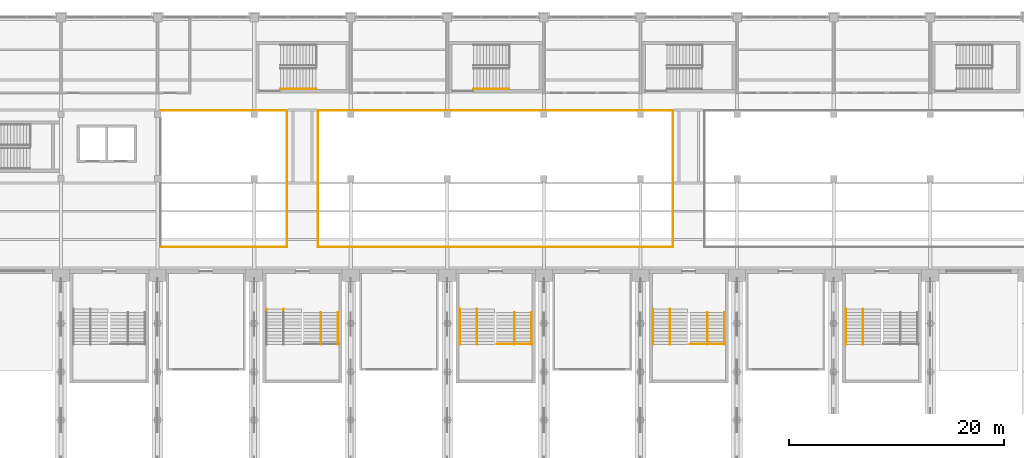
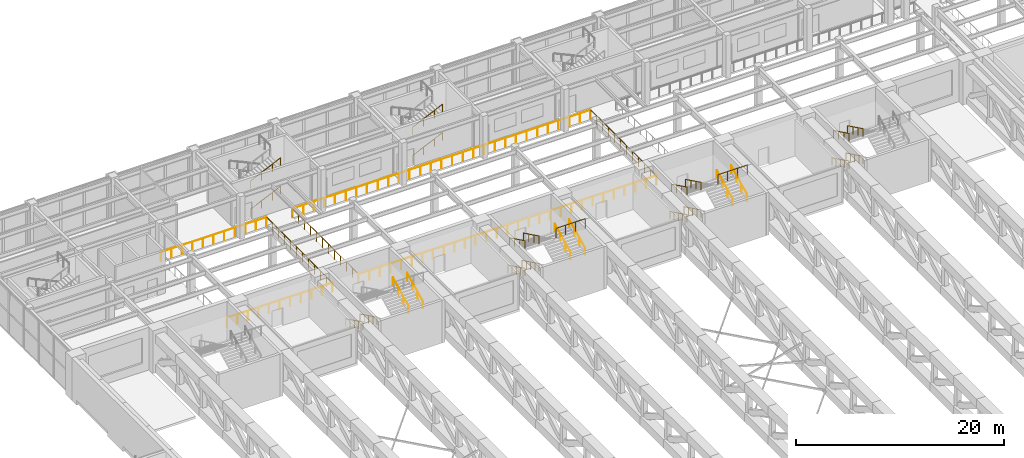
# One storey, part 69 of 76: 33 railings.
"""IFC4 building model written with IfcOpenShell, lengths in metres."""

from ifc_helpers import new_model, si_unit, direction, frame, origin, origin_2d, place, context, subcontext, project, spatial, circle, extrude, material, type_object, element, save


model = new_model("IFC4")

# Units and contexts
model_context = context("Model", 3, precision=1e-05, world=origin(), true_north=direction((0.0, 1.0)))
body_context = subcontext(model_context, "Body", "Model", "MODEL_VIEW")
ifc_project = project(units=[si_unit("LENGTHUNIT", "METRE"), si_unit("AREAUNIT", "SQUARE_METRE"), si_unit("VOLUMEUNIT", "CUBIC_METRE"), si_unit("PLANEANGLEUNIT", "RADIAN"), si_unit("MASSUNIT", "GRAM", prefix="KILO")], contexts=[model_context])

# Site, building, storey
site_placement = place(None, origin())
site = spatial("IfcSite", under=ifc_project, at=site_placement, CompositionType="ELEMENT")
building_placement = place(site_placement, origin())
building = spatial("IfcBuilding", under=site, at=building_placement, Name="Aravalli Gate Trade Fair Centre", CompositionType="ELEMENT")
storey_placement = place(building_placement, frame((0.0, 0.0, 10.0)))
storey = spatial("IfcBuildingStorey", under=building, at=storey_placement, Name="L02", CompositionType="ELEMENT", Elevation=10.0)

# Railings
ifc_material = material(Name="Steel E350", Category="steel")
railing_type_1 = type_object("IfcRailingType", Name="Concourse guard 1100", PredefinedType="GUARDRAIL", material=ifc_material)
railing_1_placement = place(storey_placement, frame((24.300048828125, 111.64990234375, 0.0)))
element("IfcRailing", 1, at=railing_1_placement, inside=storey, type_object=railing_type_1, Name="Atrium guard S1 L02", PredefinedType="GUARDRAIL", context=body_context, shape_type="SweptSolid", body=[
    extrude(circle(Radius=0.02392578125, at=origin_2d()), frame((0.0, 0.0, 1.076171875), z_axis=(1.0, 0.0, 0.0), x_axis=(0.0, 1.0, 0.0)), (0.0, 0.0, 1.0), 11.75),
    extrude(circle(Radius=0.02099609375, at=origin_2d()), origin(), (0.0, 0.0, 1.0), 1.052001953125),
    extrude(circle(Radius=0.02099609375, at=origin_2d()), frame((1.175048828125, 0.0, 0.0)), (0.0, 0.0, 1.0), 1.052001953125),
    extrude(circle(Radius=0.02099609375, at=origin_2d()), frame((2.35009765625, 0.0, 0.0)), (0.0, 0.0, 1.0), 1.052001953125),
    extrude(circle(Radius=0.02099609375, at=origin_2d()), frame((3.52490234375, 0.0, 0.0)), (0.0, 0.0, 1.0), 1.052001953125),
    extrude(circle(Radius=0.02099609375, at=origin_2d()), frame((4.699951171875, 0.0, 0.0)), (0.0, 0.0, 1.0), 1.052001953125),
    extrude(circle(Radius=0.02099609375, at=origin_2d()), frame((5.875, 0.0, 0.0)), (0.0, 0.0, 1.0), 1.052001953125),
    extrude(circle(Radius=0.02099609375, at=origin_2d()), frame((7.050048828125, 0.0, 0.0)), (0.0, 0.0, 1.0), 1.052001953125),
    extrude(circle(Radius=0.02099609375, at=origin_2d()), frame((8.22509765625, 0.0, 0.0)), (0.0, 0.0, 1.0), 1.052001953125),
    extrude(circle(Radius=0.02099609375, at=origin_2d()), frame((9.39990234375, 0.0, 0.0)), (0.0, 0.0, 1.0), 1.052001953125),
    extrude(circle(Radius=0.02099609375, at=origin_2d()), frame((10.574951171875, 0.0, 0.0)), (0.0, 0.0, 1.0), 1.052001953125),
    extrude(circle(Radius=0.02099609375, at=origin_2d()), frame((11.75, 0.0, 0.0)), (0.0, 0.0, 1.0), 1.052001953125),
])
railing_2_placement = place(storey_placement, frame((38.949951171875, 111.64990234375, 0.0)))
element("IfcRailing", 2, at=railing_2_placement, inside=storey, type_object=railing_type_1, Name="Atrium guard S2 L02", PredefinedType="GUARDRAIL", context=body_context, shape_type="SweptSolid", body=[
    extrude(circle(Radius=0.02392578125, at=origin_2d()), frame((0.0, 0.0, 1.076171875), z_axis=(1.0, 0.0, 0.0), x_axis=(0.0, 1.0, 0.0)), (0.0, 0.0, 1.0), 33.10009765625),
    extrude(circle(Radius=0.02099609375, at=origin_2d()), origin(), (0.0, 0.0, 1.0), 1.052001953125),
    extrude(circle(Radius=0.02099609375, at=origin_2d()), frame((1.18212890625, 0.0, 0.0)), (0.0, 0.0, 1.0), 1.052001953125),
    extrude(circle(Radius=0.02099609375, at=origin_2d()), frame((2.3642578125, 0.0, 0.0)), (0.0, 0.0, 1.0), 1.052001953125),
    extrude(circle(Radius=0.02099609375, at=origin_2d()), frame((3.54638671875, 0.0, 0.0)), (0.0, 0.0, 1.0), 1.052001953125),
    extrude(circle(Radius=0.02099609375, at=origin_2d()), frame((4.728515625, 0.0, 0.0)), (0.0, 0.0, 1.0), 1.052001953125),
    extrude(circle(Radius=0.02099609375, at=origin_2d()), frame((5.91064453125, 0.0, 0.0)), (0.0, 0.0, 1.0), 1.052001953125),
    extrude(circle(Radius=0.02099609375, at=origin_2d()), frame((7.0927734375, 0.0, 0.0)), (0.0, 0.0, 1.0), 1.052001953125),
    extrude(circle(Radius=0.02099609375, at=origin_2d()), frame((8.27490234375, 0.0, 0.0)), (0.0, 0.0, 1.0), 1.052001953125),
    extrude(circle(Radius=0.02099609375, at=origin_2d()), frame((9.457275390625, 0.0, 0.0)), (0.0, 0.0, 1.0), 1.052001953125),
    extrude(circle(Radius=0.02099609375, at=origin_2d()), frame((10.639404296875, 0.0, 0.0)), (0.0, 0.0, 1.0), 1.052001953125),
    extrude(circle(Radius=0.02099609375, at=origin_2d()), frame((11.821533203125, 0.0, 0.0)), (0.0, 0.0, 1.0), 1.052001953125),
    extrude(circle(Radius=0.02099609375, at=origin_2d()), frame((13.003662109375, 0.0, 0.0)), (0.0, 0.0, 1.0), 1.052001953125),
    extrude(circle(Radius=0.02099609375, at=origin_2d()), frame((14.185791015625, 0.0, 0.0)), (0.0, 0.0, 1.0), 1.052001953125),
    extrude(circle(Radius=0.02099609375, at=origin_2d()), frame((15.367919921875, 0.0, 0.0)), (0.0, 0.0, 1.0), 1.052001953125),
    extrude(circle(Radius=0.02099609375, at=origin_2d()), frame((16.550048828125, 0.0, 0.0)), (0.0, 0.0, 1.0), 1.052001953125),
    extrude(circle(Radius=0.02099609375, at=origin_2d()), frame((17.732177734375, 0.0, 0.0)), (0.0, 0.0, 1.0), 1.052001953125),
    extrude(circle(Radius=0.02099609375, at=origin_2d()), frame((18.914306640625, 0.0, 0.0)), (0.0, 0.0, 1.0), 1.052001953125),
    extrude(circle(Radius=0.02099609375, at=origin_2d()), frame((20.096435546875, 0.0, 0.0)), (0.0, 0.0, 1.0), 1.052001953125),
    extrude(circle(Radius=0.02099609375, at=origin_2d()), frame((21.278564453125, 0.0, 0.0)), (0.0, 0.0, 1.0), 1.052001953125),
    extrude(circle(Radius=0.02099609375, at=origin_2d()), frame((22.460693359375, 0.0, 0.0)), (0.0, 0.0, 1.0), 1.052001953125),
    extrude(circle(Radius=0.02099609375, at=origin_2d()), frame((23.642822265625, 0.0, 0.0)), (0.0, 0.0, 1.0), 1.052001953125),
    extrude(circle(Radius=0.02099609375, at=origin_2d()), frame((24.8251953125, 0.0, 0.0)), (0.0, 0.0, 1.0), 1.052001953125),
    extrude(circle(Radius=0.02099609375, at=origin_2d()), frame((26.00732421875, 0.0, 0.0)), (0.0, 0.0, 1.0), 1.052001953125),
    extrude(circle(Radius=0.02099609375, at=origin_2d()), frame((27.189453125, 0.0, 0.0)), (0.0, 0.0, 1.0), 1.052001953125),
    extrude(circle(Radius=0.02099609375, at=origin_2d()), frame((28.37158203125, 0.0, 0.0)), (0.0, 0.0, 1.0), 1.052001953125),
    extrude(circle(Radius=0.02099609375, at=origin_2d()), frame((29.5537109375, 0.0, 0.0)), (0.0, 0.0, 1.0), 1.052001953125),
    extrude(circle(Radius=0.02099609375, at=origin_2d()), frame((30.73583984375, 0.0, 0.0)), (0.0, 0.0, 1.0), 1.052001953125),
    extrude(circle(Radius=0.02099609375, at=origin_2d()), frame((31.91796875, 0.0, 0.0)), (0.0, 0.0, 1.0), 1.052001953125),
    extrude(circle(Radius=0.02099609375, at=origin_2d()), frame((33.10009765625, 0.0, 0.0)), (0.0, 0.0, 1.0), 1.052001953125),
])
railing_3_placement = place(storey_placement, frame((24.300048828125, 124.35009765625, 0.0)))
element("IfcRailing", 3, at=railing_3_placement, inside=storey, type_object=railing_type_1, Name="Atrium guard N1 L02", PredefinedType="GUARDRAIL", context=body_context, shape_type="SweptSolid", body=[
    extrude(circle(Radius=0.02392578125, at=origin_2d()), frame((0.0, 0.0, 1.076171875), z_axis=(1.0, 0.0, 0.0), x_axis=(0.0, 1.0, 0.0)), (0.0, 0.0, 1.0), 11.75),
    extrude(circle(Radius=0.02099609375, at=origin_2d()), origin(), (0.0, 0.0, 1.0), 1.052001953125),
    extrude(circle(Radius=0.02099609375, at=origin_2d()), frame((1.175048828125, 0.0, 0.0)), (0.0, 0.0, 1.0), 1.052001953125),
    extrude(circle(Radius=0.02099609375, at=origin_2d()), frame((2.35009765625, 0.0, 0.0)), (0.0, 0.0, 1.0), 1.052001953125),
    extrude(circle(Radius=0.02099609375, at=origin_2d()), frame((3.52490234375, 0.0, 0.0)), (0.0, 0.0, 1.0), 1.052001953125),
    extrude(circle(Radius=0.02099609375, at=origin_2d()), frame((4.699951171875, 0.0, 0.0)), (0.0, 0.0, 1.0), 1.052001953125),
    extrude(circle(Radius=0.02099609375, at=origin_2d()), frame((5.875, 0.0, 0.0)), (0.0, 0.0, 1.0), 1.052001953125),
    extrude(circle(Radius=0.02099609375, at=origin_2d()), frame((7.050048828125, 0.0, 0.0)), (0.0, 0.0, 1.0), 1.052001953125),
    extrude(circle(Radius=0.02099609375, at=origin_2d()), frame((8.22509765625, 0.0, 0.0)), (0.0, 0.0, 1.0), 1.052001953125),
    extrude(circle(Radius=0.02099609375, at=origin_2d()), frame((9.39990234375, 0.0, 0.0)), (0.0, 0.0, 1.0), 1.052001953125),
    extrude(circle(Radius=0.02099609375, at=origin_2d()), frame((10.574951171875, 0.0, 0.0)), (0.0, 0.0, 1.0), 1.052001953125),
    extrude(circle(Radius=0.02099609375, at=origin_2d()), frame((11.75, 0.0, 0.0)), (0.0, 0.0, 1.0), 1.052001953125),
])
railing_4_placement = place(storey_placement, frame((38.949951171875, 124.35009765625, 0.0)))
element("IfcRailing", 4, at=railing_4_placement, inside=storey, type_object=railing_type_1, Name="Atrium guard N2 L02", PredefinedType="GUARDRAIL", context=body_context, shape_type="SweptSolid", body=[
    extrude(circle(Radius=0.02392578125, at=origin_2d()), frame((0.0, 0.0, 1.076171875), z_axis=(1.0, 0.0, 0.0), x_axis=(0.0, 1.0, 0.0)), (0.0, 0.0, 1.0), 33.10009765625),
    extrude(circle(Radius=0.02099609375, at=origin_2d()), origin(), (0.0, 0.0, 1.0), 1.052001953125),
    extrude(circle(Radius=0.02099609375, at=origin_2d()), frame((1.18212890625, 0.0, 0.0)), (0.0, 0.0, 1.0), 1.052001953125),
    extrude(circle(Radius=0.02099609375, at=origin_2d()), frame((2.3642578125, 0.0, 0.0)), (0.0, 0.0, 1.0), 1.052001953125),
    extrude(circle(Radius=0.02099609375, at=origin_2d()), frame((3.54638671875, 0.0, 0.0)), (0.0, 0.0, 1.0), 1.052001953125),
    extrude(circle(Radius=0.02099609375, at=origin_2d()), frame((4.728515625, 0.0, 0.0)), (0.0, 0.0, 1.0), 1.052001953125),
    extrude(circle(Radius=0.02099609375, at=origin_2d()), frame((5.91064453125, 0.0, 0.0)), (0.0, 0.0, 1.0), 1.052001953125),
    extrude(circle(Radius=0.02099609375, at=origin_2d()), frame((7.0927734375, 0.0, 0.0)), (0.0, 0.0, 1.0), 1.052001953125),
    extrude(circle(Radius=0.02099609375, at=origin_2d()), frame((8.27490234375, 0.0, 0.0)), (0.0, 0.0, 1.0), 1.052001953125),
    extrude(circle(Radius=0.02099609375, at=origin_2d()), frame((9.457275390625, 0.0, 0.0)), (0.0, 0.0, 1.0), 1.052001953125),
    extrude(circle(Radius=0.02099609375, at=origin_2d()), frame((10.639404296875, 0.0, 0.0)), (0.0, 0.0, 1.0), 1.052001953125),
    extrude(circle(Radius=0.02099609375, at=origin_2d()), frame((11.821533203125, 0.0, 0.0)), (0.0, 0.0, 1.0), 1.052001953125),
    extrude(circle(Radius=0.02099609375, at=origin_2d()), frame((13.003662109375, 0.0, 0.0)), (0.0, 0.0, 1.0), 1.052001953125),
    extrude(circle(Radius=0.02099609375, at=origin_2d()), frame((14.185791015625, 0.0, 0.0)), (0.0, 0.0, 1.0), 1.052001953125),
    extrude(circle(Radius=0.02099609375, at=origin_2d()), frame((15.367919921875, 0.0, 0.0)), (0.0, 0.0, 1.0), 1.052001953125),
    extrude(circle(Radius=0.02099609375, at=origin_2d()), frame((16.550048828125, 0.0, 0.0)), (0.0, 0.0, 1.0), 1.052001953125),
    extrude(circle(Radius=0.02099609375, at=origin_2d()), frame((17.732177734375, 0.0, 0.0)), (0.0, 0.0, 1.0), 1.052001953125),
    extrude(circle(Radius=0.02099609375, at=origin_2d()), frame((18.914306640625, 0.0, 0.0)), (0.0, 0.0, 1.0), 1.052001953125),
    extrude(circle(Radius=0.02099609375, at=origin_2d()), frame((20.096435546875, 0.0, 0.0)), (0.0, 0.0, 1.0), 1.052001953125),
    extrude(circle(Radius=0.02099609375, at=origin_2d()), frame((21.278564453125, 0.0, 0.0)), (0.0, 0.0, 1.0), 1.052001953125),
    extrude(circle(Radius=0.02099609375, at=origin_2d()), frame((22.460693359375, 0.0, 0.0)), (0.0, 0.0, 1.0), 1.052001953125),
    extrude(circle(Radius=0.02099609375, at=origin_2d()), frame((23.642822265625, 0.0, 0.0)), (0.0, 0.0, 1.0), 1.052001953125),
    extrude(circle(Radius=0.02099609375, at=origin_2d()), frame((24.8251953125, 0.0, 0.0)), (0.0, 0.0, 1.0), 1.052001953125),
    extrude(circle(Radius=0.02099609375, at=origin_2d()), frame((26.00732421875, 0.0, 0.0)), (0.0, 0.0, 1.0), 1.052001953125),
    extrude(circle(Radius=0.02099609375, at=origin_2d()), frame((27.189453125, 0.0, 0.0)), (0.0, 0.0, 1.0), 1.052001953125),
    extrude(circle(Radius=0.02099609375, at=origin_2d()), frame((28.37158203125, 0.0, 0.0)), (0.0, 0.0, 1.0), 1.052001953125),
    extrude(circle(Radius=0.02099609375, at=origin_2d()), frame((29.5537109375, 0.0, 0.0)), (0.0, 0.0, 1.0), 1.052001953125),
    extrude(circle(Radius=0.02099609375, at=origin_2d()), frame((30.73583984375, 0.0, 0.0)), (0.0, 0.0, 1.0), 1.052001953125),
    extrude(circle(Radius=0.02099609375, at=origin_2d()), frame((31.91796875, 0.0, 0.0)), (0.0, 0.0, 1.0), 1.052001953125),
    extrude(circle(Radius=0.02099609375, at=origin_2d()), frame((33.10009765625, 0.0, 0.0)), (0.0, 0.0, 1.0), 1.052001953125),
])
for number, where, name in (
    (5, (36.050048828125, 111.64990234375, 0.0), "Atrium guard BA1 L02"),
    (6, (38.949951171875, 111.64990234375, 0.0), "Atrium guard BB1 L02"),
    (7, (72.050048828125, 111.64990234375, 0.0), "Atrium guard BA2 L02"),
):
    element("IfcRailing", number, at=place(storey_placement, frame(where)), inside=storey, type_object=railing_type_1, Name=name, PredefinedType="GUARDRAIL", context=body_context, shape_type="SweptSolid", body=[
        extrude(circle(Radius=0.02392578125, at=origin_2d()), frame((0.0, 0.0, 1.076171875), z_axis=(0.0, 1.0, 0.0), x_axis=(-1.0, 0.0, 0.0)), (0.0, 0.0, 1.0), 12.7001953125),
        extrude(circle(Radius=0.02099609375, at=origin_2d()), origin(), (0.0, 0.0, 1.0), 1.052001953125),
        extrude(circle(Radius=0.02099609375, at=origin_2d()), frame((0.0, 1.154541015625, 0.0)), (0.0, 0.0, 1.0), 1.052001953125),
        extrude(circle(Radius=0.02099609375, at=origin_2d()), frame((0.0, 2.30908203125, 0.0)), (0.0, 0.0, 1.0), 1.052001953125),
        extrude(circle(Radius=0.02099609375, at=origin_2d()), frame((0.0, 3.463623046875, 0.0)), (0.0, 0.0, 1.0), 1.052001953125),
        extrude(circle(Radius=0.02099609375, at=origin_2d()), frame((0.0, 4.6181640625, 0.0)), (0.0, 0.0, 1.0), 1.052001953125),
        extrude(circle(Radius=0.02099609375, at=origin_2d()), frame((0.0, 5.772705078125, 0.0)), (0.0, 0.0, 1.0), 1.052001953125),
        extrude(circle(Radius=0.02099609375, at=origin_2d()), frame((0.0, 6.927490234375, 0.0)), (0.0, 0.0, 1.0), 1.052001953125),
        extrude(circle(Radius=0.02099609375, at=origin_2d()), frame((0.0, 8.08203125, 0.0)), (0.0, 0.0, 1.0), 1.052001953125),
        extrude(circle(Radius=0.02099609375, at=origin_2d()), frame((0.0, 9.236572265625, 0.0)), (0.0, 0.0, 1.0), 1.052001953125),
        extrude(circle(Radius=0.02099609375, at=origin_2d()), frame((0.0, 10.39111328125, 0.0)), (0.0, 0.0, 1.0), 1.052001953125),
        extrude(circle(Radius=0.02099609375, at=origin_2d()), frame((0.0, 11.545654296875, 0.0)), (0.0, 0.0, 1.0), 1.052001953125),
        extrude(circle(Radius=0.02099609375, at=origin_2d()), frame((0.0, 12.7001953125, 0.0)), (0.0, 0.0, 1.0), 1.052001953125),
    ])
railing_type_2 = type_object("IfcRailingType", Name="Concourse stair handrail 900", PredefinedType="HANDRAIL", material=ifc_material)
railing_5_placement = place(storey_placement, frame((35.449951171875, 126.35009765625, 0.138916015625)))
element("IfcRailing", 8, at=railing_5_placement, inside=storey, type_object=railing_type_2, Name="Handrail XA L02 flight 1o", PredefinedType="HANDRAIL", context=body_context, shape_type="SweptSolid", body=[
    extrude(circle(Radius=0.02392578125, at=origin_2d()), frame((0.0, 0.0, 0.8759765625), z_axis=(0.907499493834, 0.0, 0.420053173647), x_axis=(0.0, 1.0, 0.0)), (0.0, 0.0, 1.0), 1.322265625),
    extrude(circle(Radius=0.02392578125, at=origin_2d()), frame((1.199951171875, 0.0, 1.43115234375), z_axis=(0.907461694017, 0.0, 0.420134828231), x_axis=(0.0, 1.0, 0.0)), (0.0, 0.0, 1.0), 1.322509765625),
    extrude(circle(Radius=0.02392578125, at=origin_2d()), frame((2.400146484375, 0.0, 1.98681640625), z_axis=(0.907418235185, 0.0, 0.420228683522), x_axis=(0.0, 1.0, 0.0)), (0.0, 0.0, 1.0), 0.99169921875),
    extrude(circle(Radius=0.02099609375, at=origin_2d()), origin(), (0.0, 0.0, 1.0), 0.851806640625),
    extrude(circle(Radius=0.02099609375, at=origin_2d()), frame((1.199951171875, 0.0, 0.555419921875)), (0.0, 0.0, 1.0), 0.851806640625),
    extrude(circle(Radius=0.02099609375, at=origin_2d()), frame((2.400146484375, 0.0, 1.111083984375)), (0.0, 0.0, 1.0), 0.851806640625),
    extrude(circle(Radius=0.02099609375, at=origin_2d()), frame((3.300048828125, 0.0, 1.52783203125)), (0.0, 0.0, 1.0), 0.851806640625),
])
railing_6_placement = place(storey_placement, frame((35.449951171875, 126.35009765625, 3.47216796875)))
element("IfcRailing", 9, at=railing_6_placement, inside=storey, type_object=railing_type_2, Name="Handrail XA L02 flight 3o", PredefinedType="HANDRAIL", context=body_context, shape_type="SweptSolid", body=[
    extrude(circle(Radius=0.02392578125, at=origin_2d()), frame((0.0, 0.0, 0.8759765625), z_axis=(0.907429102623, 0.0, 0.420205216189), x_axis=(0.0, 1.0, 0.0)), (0.0, 0.0, 1.0), 1.322265625),
    extrude(circle(Radius=0.02392578125, at=origin_2d()), frame((1.199951171875, 0.0, 1.431640625), z_axis=(0.907532064172, 0.0, 0.419982800242), x_axis=(0.0, 1.0, 0.0)), (0.0, 0.0, 1.0), 1.322509765625),
    extrude(circle(Radius=0.02392578125, at=origin_2d()), frame((2.400146484375, 0.0, 1.98681640625), z_axis=(0.907418235185, 0.0, 0.420228683522), x_axis=(0.0, 1.0, 0.0)), (0.0, 0.0, 1.0), 0.99169921875),
    extrude(circle(Radius=0.02099609375, at=origin_2d()), origin(), (0.0, 0.0, 1.0), 0.851806640625),
    extrude(circle(Radius=0.02099609375, at=origin_2d()), frame((1.199951171875, 0.0, 0.5556640625)), (0.0, 0.0, 1.0), 0.851806640625),
    extrude(circle(Radius=0.02099609375, at=origin_2d()), frame((2.400146484375, 0.0, 1.111083984375)), (0.0, 0.0, 1.0), 0.851806640625),
    extrude(circle(Radius=0.02099609375, at=origin_2d()), frame((3.300048828125, 0.0, 1.52783203125)), (0.0, 0.0, 1.0), 0.851806640625),
])
railing_7_placement = place(storey_placement, frame((53.449951171875, 126.35009765625, 0.138916015625)))
element("IfcRailing", 10, at=railing_7_placement, inside=storey, type_object=railing_type_2, Name="Handrail XB L02 flight 1o", PredefinedType="HANDRAIL", context=body_context, shape_type="SweptSolid", body=[
    extrude(circle(Radius=0.02392578125, at=origin_2d()), frame((0.0, 0.0, 0.8759765625), z_axis=(0.907499493834, 0.0, 0.420053173647), x_axis=(0.0, 1.0, 0.0)), (0.0, 0.0, 1.0), 1.322265625),
    extrude(circle(Radius=0.02392578125, at=origin_2d()), frame((1.199951171875, 0.0, 1.43115234375), z_axis=(0.907461694017, 0.0, 0.420134828231), x_axis=(0.0, 1.0, 0.0)), (0.0, 0.0, 1.0), 1.322509765625),
    extrude(circle(Radius=0.02392578125, at=origin_2d()), frame((2.400146484375, 0.0, 1.98681640625), z_axis=(0.907418235185, 0.0, 0.420228683522), x_axis=(0.0, 1.0, 0.0)), (0.0, 0.0, 1.0), 0.99169921875),
    extrude(circle(Radius=0.02099609375, at=origin_2d()), origin(), (0.0, 0.0, 1.0), 0.851806640625),
    extrude(circle(Radius=0.02099609375, at=origin_2d()), frame((1.199951171875, 0.0, 0.555419921875)), (0.0, 0.0, 1.0), 0.851806640625),
    extrude(circle(Radius=0.02099609375, at=origin_2d()), frame((2.400146484375, 0.0, 1.111083984375)), (0.0, 0.0, 1.0), 0.851806640625),
    extrude(circle(Radius=0.02099609375, at=origin_2d()), frame((3.300048828125, 0.0, 1.52783203125)), (0.0, 0.0, 1.0), 0.851806640625),
])
railing_8_placement = place(storey_placement, frame((53.449951171875, 126.35009765625, 3.47216796875)))
element("IfcRailing", 11, at=railing_8_placement, inside=storey, type_object=railing_type_2, Name="Handrail XB L02 flight 3o", PredefinedType="HANDRAIL", context=body_context, shape_type="SweptSolid", body=[
    extrude(circle(Radius=0.02392578125, at=origin_2d()), frame((0.0, 0.0, 0.8759765625), z_axis=(0.907429102623, 0.0, 0.420205216189), x_axis=(0.0, 1.0, 0.0)), (0.0, 0.0, 1.0), 1.322265625),
    extrude(circle(Radius=0.02392578125, at=origin_2d()), frame((1.199951171875, 0.0, 1.431640625), z_axis=(0.907532064172, 0.0, 0.419982800242), x_axis=(0.0, 1.0, 0.0)), (0.0, 0.0, 1.0), 1.322509765625),
    extrude(circle(Radius=0.02392578125, at=origin_2d()), frame((2.400146484375, 0.0, 1.98681640625), z_axis=(0.907418235185, 0.0, 0.420228683522), x_axis=(0.0, 1.0, 0.0)), (0.0, 0.0, 1.0), 0.99169921875),
    extrude(circle(Radius=0.02099609375, at=origin_2d()), origin(), (0.0, 0.0, 1.0), 0.851806640625),
    extrude(circle(Radius=0.02099609375, at=origin_2d()), frame((1.199951171875, 0.0, 0.5556640625)), (0.0, 0.0, 1.0), 0.851806640625),
    extrude(circle(Radius=0.02099609375, at=origin_2d()), frame((2.400146484375, 0.0, 1.111083984375)), (0.0, 0.0, 1.0), 0.851806640625),
    extrude(circle(Radius=0.02099609375, at=origin_2d()), frame((3.300048828125, 0.0, 1.52783203125)), (0.0, 0.0, 1.0), 0.851806640625),
])
railing_type_3 = type_object("IfcRailingType", Name="Stair guard 1100", PredefinedType="GUARDRAIL", material=ifc_material)
for number, where, name in (
    (12, (55.6298828125, 102.60009765625, 5.0), "Guard N06 L02 head"),
    (13, (73.6298828125, 102.60009765625, 5.0), "Guard N08 L02 head"),
):
    element("IfcRailing", number, at=place(storey_placement, frame(where)), inside=storey, type_object=railing_type_3, Name=name, PredefinedType="GUARDRAIL", context=body_context, shape_type="SweptSolid", body=[
        extrude(circle(Radius=0.02392578125, at=origin_2d()), frame((0.0, 0.0, 1.076171875), z_axis=(1.0, 0.0, 0.0), x_axis=(0.0, 1.0, 0.0)), (0.0, 0.0, 1.0), 3.27001953125),
        extrude(circle(Radius=0.02099609375, at=origin_2d()), origin(), (0.0, 0.0, 1.0), 1.052001953125),
        extrude(circle(Radius=0.02099609375, at=origin_2d()), frame((1.090087890625, 0.0, 0.0)), (0.0, 0.0, 1.0), 1.052001953125),
        extrude(circle(Radius=0.02099609375, at=origin_2d()), frame((2.179931640625, 0.0, 0.0)), (0.0, 0.0, 1.0), 1.052001953125),
        extrude(circle(Radius=0.02099609375, at=origin_2d()), frame((3.27001953125, 0.0, 0.0)), (0.0, 0.0, 1.0), 1.052001953125),
    ])
railing_type_4 = type_object("IfcRailingType", Name="Stair handrail 900", PredefinedType="HANDRAIL", material=ifc_material)
for number, where, name in (
    (14, (34.169921875, 105.85009765625, 0.147216796875), "Handrail N04 L02 1"),
    (15, (35.75, 105.85009765625, 0.147216796875), "Handrail centre N04 L02 2"),
):
    element("IfcRailing", number, at=place(storey_placement, frame(where)), inside=storey, type_object=railing_type_4, Name=name, PredefinedType="HANDRAIL", context=body_context, shape_type="SweptSolid", body=[
        extrude(circle(Radius=0.02392578125, at=origin_2d()), frame((0.0, 0.0, 0.8759765625), z_axis=(0.0, -0.897946461621, 0.440104705795), x_axis=(1.0, 0.0, 0.0)), (0.0, 0.0, 1.0), 3.675048828125),
        extrude(circle(Radius=0.02099609375, at=origin_2d()), origin(), (0.0, 0.0, 1.0), 0.851806640625),
        extrude(circle(Radius=0.02099609375, at=origin_2d()), frame((0.0, -0.824951171875, 0.404296875)), (0.0, 0.0, 1.0), 0.851806640625),
        extrude(circle(Radius=0.02099609375, at=origin_2d()), frame((0.0, -1.64990234375, 0.80859375)), (0.0, 0.0, 1.0), 0.851806640625),
        extrude(circle(Radius=0.02099609375, at=origin_2d()), frame((0.0, -2.47509765625, 1.213134765625)), (0.0, 0.0, 1.0), 0.851806640625),
        extrude(circle(Radius=0.02099609375, at=origin_2d()), frame((0.0, -3.300048828125, 1.617431640625)), (0.0, 0.0, 1.0), 0.851806640625),
    ])
for number, where, name in (
    (16, (40.830078125, 102.550048828125, 1.911865234375), "Handrail N04 L02 3"),
    (17, (39.25, 102.550048828125, 1.911865234375), "Handrail centre N04 L02 4"),
):
    element("IfcRailing", number, at=place(storey_placement, frame(where)), inside=storey, type_object=railing_type_4, Name=name, PredefinedType="HANDRAIL", context=body_context, shape_type="SweptSolid", body=[
        extrude(circle(Radius=0.02392578125, at=origin_2d()), frame((0.0, 0.0, 0.8759765625), z_axis=(0.0, 0.897936012048, 0.440126025437), x_axis=(-1.0, 0.0, 0.0)), (0.0, 0.0, 1.0), 3.341064453125),
        extrude(circle(Radius=0.02099609375, at=origin_2d()), origin(), (0.0, 0.0, 1.0), 0.851806640625),
        extrude(circle(Radius=0.02099609375, at=origin_2d()), frame((0.0, 1.0, 0.490234375)), (0.0, 0.0, 1.0), 0.851806640625),
        extrude(circle(Radius=0.02099609375, at=origin_2d()), frame((0.0, 2.0, 0.980224609375)), (0.0, 0.0, 1.0), 0.851806640625),
        extrude(circle(Radius=0.02099609375, at=origin_2d()), frame((0.0, 3.0, 1.470458984375)), (0.0, 0.0, 1.0), 0.851806640625),
    ])
for number, where, name in (
    (18, (52.169921875, 105.85009765625, 0.147216796875), "Handrail N06 L02 1"),
    (19, (53.75, 105.85009765625, 0.147216796875), "Handrail centre N06 L02 2"),
):
    element("IfcRailing", number, at=place(storey_placement, frame(where)), inside=storey, type_object=railing_type_4, Name=name, PredefinedType="HANDRAIL", context=body_context, shape_type="SweptSolid", body=[
        extrude(circle(Radius=0.02392578125, at=origin_2d()), frame((0.0, 0.0, 0.8759765625), z_axis=(0.0, -0.897946461621, 0.440104705795), x_axis=(1.0, 0.0, 0.0)), (0.0, 0.0, 1.0), 3.675048828125),
        extrude(circle(Radius=0.02099609375, at=origin_2d()), origin(), (0.0, 0.0, 1.0), 0.851806640625),
        extrude(circle(Radius=0.02099609375, at=origin_2d()), frame((0.0, -0.824951171875, 0.404296875)), (0.0, 0.0, 1.0), 0.851806640625),
        extrude(circle(Radius=0.02099609375, at=origin_2d()), frame((0.0, -1.64990234375, 0.80859375)), (0.0, 0.0, 1.0), 0.851806640625),
        extrude(circle(Radius=0.02099609375, at=origin_2d()), frame((0.0, -2.47509765625, 1.213134765625)), (0.0, 0.0, 1.0), 0.851806640625),
        extrude(circle(Radius=0.02099609375, at=origin_2d()), frame((0.0, -3.300048828125, 1.617431640625)), (0.0, 0.0, 1.0), 0.851806640625),
    ])
for number, where, name in (
    (20, (58.830078125, 102.550048828125, 1.911865234375), "Handrail N06 L02 3"),
    (21, (57.25, 102.550048828125, 1.911865234375), "Handrail centre N06 L02 4"),
):
    element("IfcRailing", number, at=place(storey_placement, frame(where)), inside=storey, type_object=railing_type_4, Name=name, PredefinedType="HANDRAIL", context=body_context, shape_type="SweptSolid", body=[
        extrude(circle(Radius=0.02392578125, at=origin_2d()), frame((0.0, 0.0, 0.8759765625), z_axis=(0.0, 0.897936012048, 0.440126025437), x_axis=(-1.0, 0.0, 0.0)), (0.0, 0.0, 1.0), 3.341064453125),
        extrude(circle(Radius=0.02099609375, at=origin_2d()), origin(), (0.0, 0.0, 1.0), 0.851806640625),
        extrude(circle(Radius=0.02099609375, at=origin_2d()), frame((0.0, 1.0, 0.490234375)), (0.0, 0.0, 1.0), 0.851806640625),
        extrude(circle(Radius=0.02099609375, at=origin_2d()), frame((0.0, 2.0, 0.980224609375)), (0.0, 0.0, 1.0), 0.851806640625),
        extrude(circle(Radius=0.02099609375, at=origin_2d()), frame((0.0, 3.0, 1.470458984375)), (0.0, 0.0, 1.0), 0.851806640625),
    ])
for number, where, name in (
    (22, (52.169921875, 105.550048828125, 3.529296875), "Handrail N06 L02 5"),
    (23, (53.75, 105.550048828125, 3.529296875), "Handrail centre N06 L02 6"),
):
    element("IfcRailing", number, at=place(storey_placement, frame(where)), inside=storey, type_object=railing_type_4, Name=name, PredefinedType="HANDRAIL", context=body_context, shape_type="SweptSolid", body=[
        extrude(circle(Radius=0.02392578125, at=origin_2d()), frame((0.0, 0.0, 0.8759765625), z_axis=(0.0, -0.897907131747, 0.44018494154), x_axis=(1.0, 0.0, 0.0)), (0.0, 0.0, 1.0), 3.341064453125),
        extrude(circle(Radius=0.02099609375, at=origin_2d()), origin(), (0.0, 0.0, 1.0), 0.851806640625),
        extrude(circle(Radius=0.02099609375, at=origin_2d()), frame((0.0, -1.0, 0.490234375)), (0.0, 0.0, 1.0), 0.851806640625),
        extrude(circle(Radius=0.02099609375, at=origin_2d()), frame((0.0, -2.0, 0.98046875)), (0.0, 0.0, 1.0), 0.851806640625),
        extrude(circle(Radius=0.02099609375, at=origin_2d()), frame((0.0, -3.0, 1.470703125)), (0.0, 0.0, 1.0), 0.851806640625),
    ])
for number, where, name in (
    (24, (70.169921875, 105.85009765625, 0.147216796875), "Handrail N08 L02 1"),
    (25, (71.75, 105.85009765625, 0.147216796875), "Handrail centre N08 L02 2"),
):
    element("IfcRailing", number, at=place(storey_placement, frame(where)), inside=storey, type_object=railing_type_4, Name=name, PredefinedType="HANDRAIL", context=body_context, shape_type="SweptSolid", body=[
        extrude(circle(Radius=0.02392578125, at=origin_2d()), frame((0.0, 0.0, 0.8759765625), z_axis=(0.0, -0.897946461621, 0.440104705795), x_axis=(1.0, 0.0, 0.0)), (0.0, 0.0, 1.0), 3.675048828125),
        extrude(circle(Radius=0.02099609375, at=origin_2d()), origin(), (0.0, 0.0, 1.0), 0.851806640625),
        extrude(circle(Radius=0.02099609375, at=origin_2d()), frame((0.0, -0.824951171875, 0.404296875)), (0.0, 0.0, 1.0), 0.851806640625),
        extrude(circle(Radius=0.02099609375, at=origin_2d()), frame((0.0, -1.64990234375, 0.80859375)), (0.0, 0.0, 1.0), 0.851806640625),
        extrude(circle(Radius=0.02099609375, at=origin_2d()), frame((0.0, -2.47509765625, 1.213134765625)), (0.0, 0.0, 1.0), 0.851806640625),
        extrude(circle(Radius=0.02099609375, at=origin_2d()), frame((0.0, -3.300048828125, 1.617431640625)), (0.0, 0.0, 1.0), 0.851806640625),
    ])
for number, where, name in (
    (26, (76.830078125, 102.550048828125, 1.911865234375), "Handrail N08 L02 3"),
    (27, (75.25, 102.550048828125, 1.911865234375), "Handrail centre N08 L02 4"),
):
    element("IfcRailing", number, at=place(storey_placement, frame(where)), inside=storey, type_object=railing_type_4, Name=name, PredefinedType="HANDRAIL", context=body_context, shape_type="SweptSolid", body=[
        extrude(circle(Radius=0.02392578125, at=origin_2d()), frame((0.0, 0.0, 0.8759765625), z_axis=(0.0, 0.897936012048, 0.440126025437), x_axis=(-1.0, 0.0, 0.0)), (0.0, 0.0, 1.0), 3.341064453125),
        extrude(circle(Radius=0.02099609375, at=origin_2d()), origin(), (0.0, 0.0, 1.0), 0.851806640625),
        extrude(circle(Radius=0.02099609375, at=origin_2d()), frame((0.0, 1.0, 0.490234375)), (0.0, 0.0, 1.0), 0.851806640625),
        extrude(circle(Radius=0.02099609375, at=origin_2d()), frame((0.0, 2.0, 0.980224609375)), (0.0, 0.0, 1.0), 0.851806640625),
        extrude(circle(Radius=0.02099609375, at=origin_2d()), frame((0.0, 3.0, 1.470458984375)), (0.0, 0.0, 1.0), 0.851806640625),
    ])
for number, where, name in (
    (28, (70.169921875, 105.550048828125, 3.529296875), "Handrail N08 L02 5"),
    (29, (71.75, 105.550048828125, 3.529296875), "Handrail centre N08 L02 6"),
):
    element("IfcRailing", number, at=place(storey_placement, frame(where)), inside=storey, type_object=railing_type_4, Name=name, PredefinedType="HANDRAIL", context=body_context, shape_type="SweptSolid", body=[
        extrude(circle(Radius=0.02392578125, at=origin_2d()), frame((0.0, 0.0, 0.8759765625), z_axis=(0.0, -0.897907131747, 0.44018494154), x_axis=(1.0, 0.0, 0.0)), (0.0, 0.0, 1.0), 3.341064453125),
        extrude(circle(Radius=0.02099609375, at=origin_2d()), origin(), (0.0, 0.0, 1.0), 0.851806640625),
        extrude(circle(Radius=0.02099609375, at=origin_2d()), frame((0.0, -1.0, 0.490234375)), (0.0, 0.0, 1.0), 0.851806640625),
        extrude(circle(Radius=0.02099609375, at=origin_2d()), frame((0.0, -2.0, 0.98046875)), (0.0, 0.0, 1.0), 0.851806640625),
        extrude(circle(Radius=0.02099609375, at=origin_2d()), frame((0.0, -3.0, 1.470703125)), (0.0, 0.0, 1.0), 0.851806640625),
    ])
for number, where, name in (
    (30, (88.169921875, 105.85009765625, 0.147216796875), "Handrail N10 L02 1"),
    (31, (89.75, 105.85009765625, 0.147216796875), "Handrail centre N10 L02 2"),
):
    element("IfcRailing", number, at=place(storey_placement, frame(where)), inside=storey, type_object=railing_type_4, Name=name, PredefinedType="HANDRAIL", context=body_context, shape_type="SweptSolid", body=[
        extrude(circle(Radius=0.02392578125, at=origin_2d()), frame((0.0, 0.0, 0.8759765625), z_axis=(0.0, -0.897946461621, 0.440104705795), x_axis=(1.0, 0.0, 0.0)), (0.0, 0.0, 1.0), 3.675048828125),
        extrude(circle(Radius=0.02099609375, at=origin_2d()), origin(), (0.0, 0.0, 1.0), 0.851806640625),
        extrude(circle(Radius=0.02099609375, at=origin_2d()), frame((0.0, -0.824951171875, 0.404296875)), (0.0, 0.0, 1.0), 0.851806640625),
        extrude(circle(Radius=0.02099609375, at=origin_2d()), frame((0.0, -1.64990234375, 0.80859375)), (0.0, 0.0, 1.0), 0.851806640625),
        extrude(circle(Radius=0.02099609375, at=origin_2d()), frame((0.0, -2.47509765625, 1.213134765625)), (0.0, 0.0, 1.0), 0.851806640625),
        extrude(circle(Radius=0.02099609375, at=origin_2d()), frame((0.0, -3.300048828125, 1.617431640625)), (0.0, 0.0, 1.0), 0.851806640625),
    ])
for number, where, name in (
    (32, (88.169921875, 105.550048828125, 3.529296875), "Handrail N10 L02 5"),
    (33, (89.75, 105.550048828125, 3.529296875), "Handrail centre N10 L02 6"),
):
    element("IfcRailing", number, at=place(storey_placement, frame(where)), inside=storey, type_object=railing_type_4, Name=name, PredefinedType="HANDRAIL", context=body_context, shape_type="SweptSolid", body=[
        extrude(circle(Radius=0.02392578125, at=origin_2d()), frame((0.0, 0.0, 0.8759765625), z_axis=(0.0, -0.897907131747, 0.44018494154), x_axis=(1.0, 0.0, 0.0)), (0.0, 0.0, 1.0), 3.341064453125),
        extrude(circle(Radius=0.02099609375, at=origin_2d()), origin(), (0.0, 0.0, 1.0), 0.851806640625),
        extrude(circle(Radius=0.02099609375, at=origin_2d()), frame((0.0, -1.0, 0.490234375)), (0.0, 0.0, 1.0), 0.851806640625),
        extrude(circle(Radius=0.02099609375, at=origin_2d()), frame((0.0, -2.0, 0.98046875)), (0.0, 0.0, 1.0), 0.851806640625),
        extrude(circle(Radius=0.02099609375, at=origin_2d()), frame((0.0, -3.0, 1.470703125)), (0.0, 0.0, 1.0), 0.851806640625),
    ])

save(model, "model.ifc")
